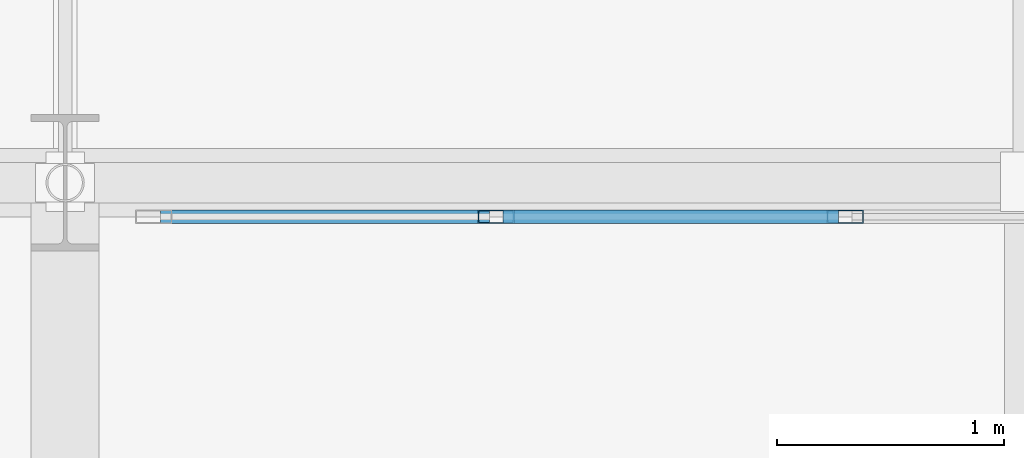
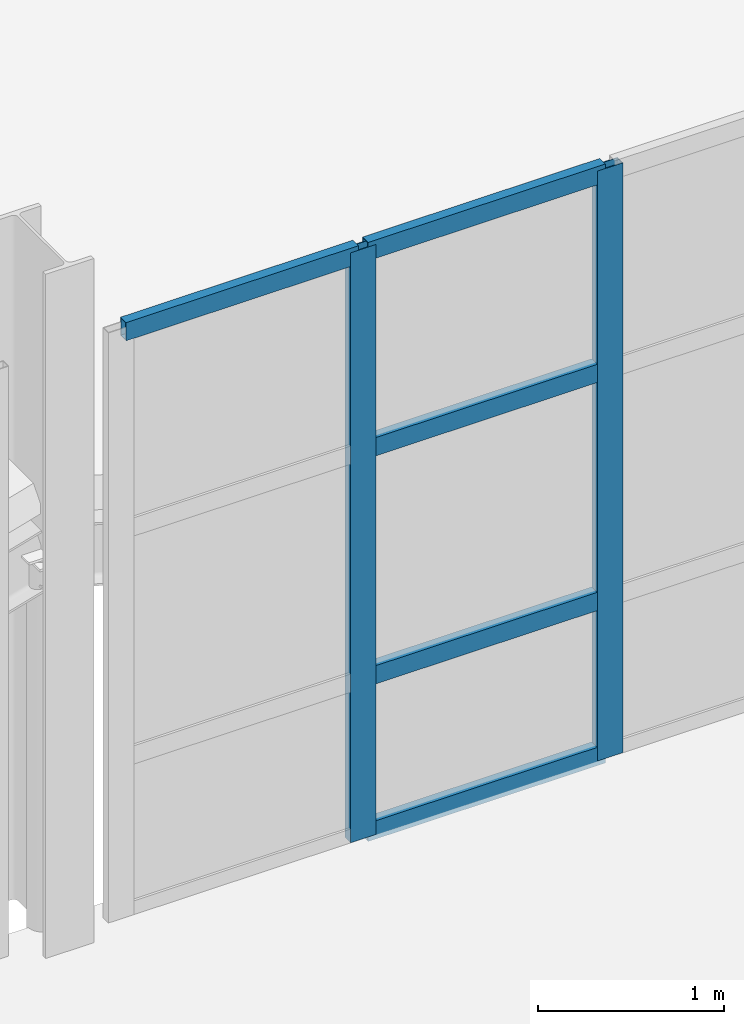
# One storey, part 19 of 130: 7 members, 1 element without a shape of its own.
"""IFC4 building model written with IfcOpenShell, lengths in metres."""

from ifc_helpers import new_model, si_unit, direction, frame, origin, origin_2d, place, context, subcontext, project, spatial, hollow_rectangle, extrude, material, material_profile, profile_set, type_object, element, aggregate, save


model = new_model("IFC4")

# Units and contexts
model_context = context("Model", 3, precision=1e-05, world=origin(), true_north=direction((0.0, 1.0)))
body_context = subcontext(model_context, "Body", "Model", "MODEL_VIEW")
ifc_project = project(units=[si_unit("LENGTHUNIT", "METRE"), si_unit("AREAUNIT", "SQUARE_METRE"), si_unit("VOLUMEUNIT", "CUBIC_METRE"), si_unit("PLANEANGLEUNIT", "RADIAN"), si_unit("MASSUNIT", "GRAM", prefix="KILO")], contexts=[model_context])

# Site, building, storey
site_placement = place(None, origin())
site = spatial("IfcSite", under=ifc_project, at=site_placement, CompositionType="ELEMENT")
building_placement = place(site_placement, origin())
building = spatial("IfcBuilding", under=site, at=building_placement, Name="Veltarok Museum of Natural Sciences", CompositionType="ELEMENT")
storey_placement = place(building_placement, frame((0.0, 0.0, 12.89990234375)))
storey = spatial("IfcBuildingStorey", under=building, at=storey_placement, Name="L02", CompositionType="ELEMENT", Elevation=12.89990234375)

# Curtain wall, members
ifc_material_1 = material(Name="Low-iron triple insulated glass", Category="glass")
curtain_wall_type = type_object("IfcCurtainWallType", Name="Curtain Wall System CW-BRG-N-L02-2-768x388 (Bridge North Court L02 2-3 768x388cm)", PredefinedType="NOTDEFINED", material=ifc_material_1)
curtain_wall_placement = place(storey_placement, origin())
curtain_wall = element("IfcCurtainWall", 1, at=curtain_wall_placement, inside=storey, type_object=curtain_wall_type, Name="Curtain Wall CW-BRG-N-L02-2-768x388 CW-0034", PredefinedType="NOTDEFINED")
ifc_material_2 = material(Name="Thermally broken anodised aluminium", Category="aluminium")
ifc_material_profile_1 = material_profile(ifc_material_2, hollow_rectangle(XDim=0.06005859375, YDim=0.1201171875, WallThickness=0.0048828125, at=origin_2d()), Name="CW TRANSOM 60x120x5")
ifc_profile_set_1 = profile_set([ifc_material_profile_1], Name="Thermally broken anodised aluminium")
member_type_1 = type_object("IfcMemberType", Name="Curtain Wall Horizontal Transom 60x120x5", PredefinedType="USERDEFINED", material=ifc_profile_set_1)
member_1_placement = place(storey_placement, frame((18.201904296875, 26.25, 0.030029296875), z_axis=(-1.0, 0.0, 0.0), x_axis=(0.0, -1.0, 0.0)))
member_1 = element("IfcMember", 2, at=member_1_placement, type_object=member_type_1, Name="CW-BRG-N-L02-2-768x388 transom 4.1", ObjectType="TRANSOM", PredefinedType="USERDEFINED", context=body_context, shape_type="SweptSolid", body=[
    extrude(hollow_rectangle(XDim=0.06005859375, YDim=0.1201171875, WallThickness=0.0048828125, at=origin_2d()), origin(), (0.0, 0.0, 1.0), 1.475830078125),
])
member_2_placement = place(storey_placement, frame((18.201904296875, 26.25, 1.050048828125), z_axis=(-1.0, 0.0, 0.0), x_axis=(0.0, -1.0, 0.0)))
member_2 = element("IfcMember", 3, at=member_2_placement, type_object=member_type_1, Name="CW-BRG-N-L02-2-768x388 transom 4.2", ObjectType="TRANSOM", PredefinedType="USERDEFINED", context=body_context, shape_type="SweptSolid", body=[
    extrude(hollow_rectangle(XDim=0.06005859375, YDim=0.1201171875, WallThickness=0.0048828125, at=origin_2d()), origin(), (0.0, 0.0, 1.0), 1.475830078125),
])
member_3_placement = place(storey_placement, frame((18.201904296875, 26.25, 2.550048828125), z_axis=(-1.0, 0.0, 0.0), x_axis=(0.0, -1.0, 0.0)))
member_3 = element("IfcMember", 4, at=member_3_placement, type_object=member_type_1, Name="CW-BRG-N-L02-2-768x388 transom 4.3", ObjectType="TRANSOM", PredefinedType="USERDEFINED", context=body_context, shape_type="SweptSolid", body=[
    extrude(hollow_rectangle(XDim=0.06005859375, YDim=0.1201171875, WallThickness=0.0048828125, at=origin_2d()), origin(), (0.0, 0.0, 1.0), 1.475830078125),
])
member_4_placement = place(storey_placement, frame((18.201904296875, 26.25, 3.85009765625), z_axis=(-1.0, 0.0, 0.0), x_axis=(0.0, -1.0, 0.0)))
member_4 = element("IfcMember", 5, at=member_4_placement, type_object=member_type_1, Name="CW-BRG-N-L02-2-768x388 transom 4.4", ObjectType="TRANSOM", PredefinedType="USERDEFINED", context=body_context, shape_type="SweptSolid", body=[
    extrude(hollow_rectangle(XDim=0.06005859375, YDim=0.1201171875, WallThickness=0.0048828125, at=origin_2d()), origin(), (0.0, 0.0, 1.0), 1.475830078125),
])
member_5_placement = place(storey_placement, frame((16.666015625, 26.25, 3.85009765625), z_axis=(-1.0, 0.0, 0.0), x_axis=(0.0, -1.0, 0.0)))
member_5 = element("IfcMember", 6, at=member_5_placement, type_object=member_type_1, Name="CW-BRG-N-L02-2-768x388 transom 5.4", ObjectType="TRANSOM", PredefinedType="USERDEFINED", context=body_context, shape_type="SweptSolid", body=[
    extrude(hollow_rectangle(XDim=0.06005859375, YDim=0.1201171875, WallThickness=0.0048828125, at=origin_2d()), origin(), (0.0, 0.0, 1.0), 1.446044921875),
])
ifc_material_profile_2 = material_profile(ifc_material_2, hollow_rectangle(XDim=0.06005859375, YDim=0.159912109375, WallThickness=0.0048828125, at=origin_2d()), Name="CW MULLION 60x160x5")
ifc_profile_set_2 = profile_set([ifc_material_profile_2], Name="Thermally broken anodised aluminium")
member_type_2 = type_object("IfcMemberType", Name="Curtain Wall Vertical Mullion 60x160x5", PredefinedType="MULLION", material=ifc_profile_set_2)
member_6_placement = place(storey_placement, frame((18.23193359375, 26.25, 0.0), z_axis=(0.0, 0.0, 1.0), x_axis=(0.0, -1.0, 0.0)))
member_6 = element("IfcMember", 7, at=member_6_placement, type_object=member_type_2, Name="CW-BRG-N-L02-2-768x388 mullion 4", PredefinedType="MULLION", context=body_context, shape_type="SweptSolid", body=[
    extrude(hollow_rectangle(XDim=0.06005859375, YDim=0.159912109375, WallThickness=0.0048828125, at=origin_2d()), origin(), (0.0, 0.0, 1.0), 3.880126953125),
])
member_7_placement = place(storey_placement, frame((16.696044921875, 26.25, 0.0), z_axis=(0.0, 0.0, 1.0), x_axis=(0.0, -1.0, 0.0)))
member_7 = element("IfcMember", 8, at=member_7_placement, type_object=member_type_2, Name="CW-BRG-N-L02-2-768x388 mullion 5", PredefinedType="MULLION", context=body_context, shape_type="SweptSolid", body=[
    extrude(hollow_rectangle(XDim=0.06005859375, YDim=0.159912109375, WallThickness=0.0048828125, at=origin_2d()), origin(), (0.0, 0.0, 1.0), 3.880126953125),
])
aggregate(curtain_wall, [member_6, member_7, member_1, member_2, member_3, member_4, member_5])

save(model, "model.ifc")
